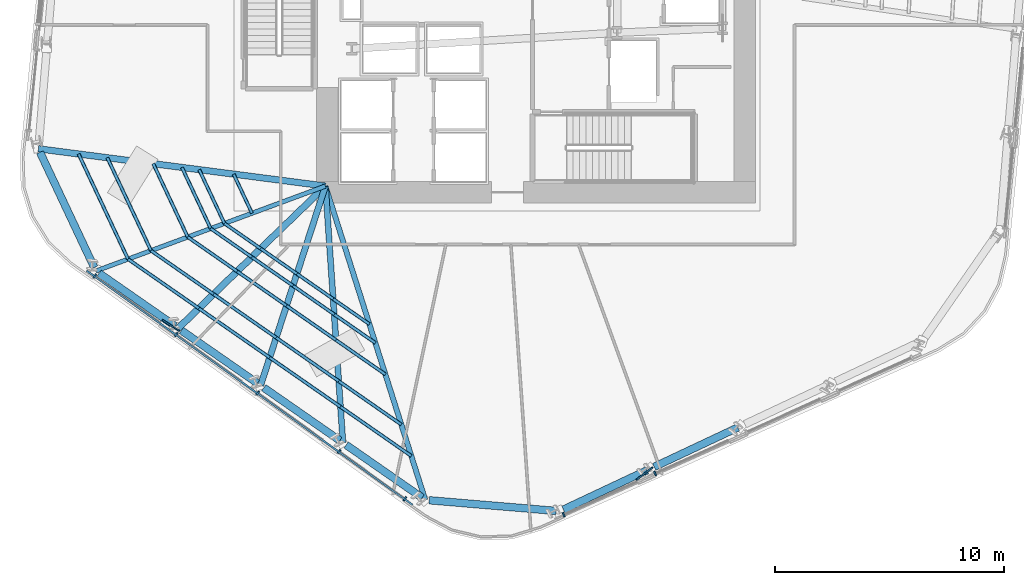
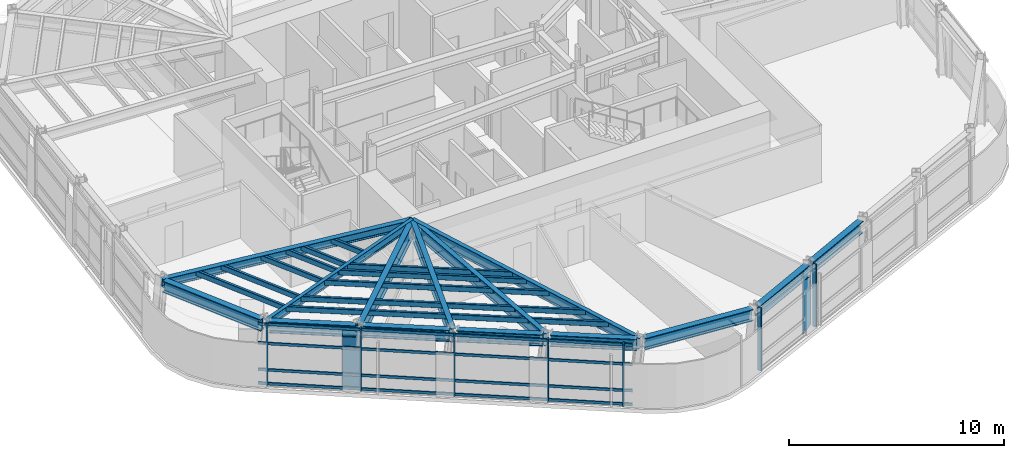
# One storey, part 2 of 16: 39 members, 14 beams, 2 elements without a shape of their own.
"""IFC4 building model written with IfcOpenShell, lengths in metres."""

from ifc_helpers import new_model, si_unit, direction, frame, origin, origin_2d, place, context, subcontext, project, spatial, rectangle, hollow_rectangle, i_section, extrude, material, layer, layer_set, material_profile, profile_set, type_object, element, aggregate, save


model = new_model("IFC4")

# Units and contexts
model_context = context("Model", 3, precision=1e-05, world=origin(), true_north=direction((0.0, 1.0)))
body_context = subcontext(model_context, "Body", "Model", "MODEL_VIEW")
ifc_project = project(units=[si_unit("LENGTHUNIT", "METRE"), si_unit("AREAUNIT", "SQUARE_METRE"), si_unit("VOLUMEUNIT", "CUBIC_METRE"), si_unit("PLANEANGLEUNIT", "RADIAN"), si_unit("MASSUNIT", "GRAM", prefix="KILO")], contexts=[model_context])

# Site, building, storey
site_placement = place(None, origin())
site = spatial("IfcSite", under=ifc_project, at=site_placement, CompositionType="ELEMENT")
building_placement = place(site_placement, origin())
building = spatial("IfcBuilding", under=site, at=building_placement, Name="Valkerne Bourse Tower", CompositionType="ELEMENT")
storey_placement = place(building_placement, frame((0.0, 0.0, 127.60009765625)))
storey = spatial("IfcBuildingStorey", under=building, at=storey_placement, Name="L32", CompositionType="ELEMENT", Elevation=127.60009765625)

# Beams
ifc_material_1 = material(Name="Steel ASTM A992", Category="steel")
ifc_material_profile_1 = material_profile(ifc_material_1, i_section(OverallWidth=0.1904296875, OverallDepth=0.457275390625, WebThickness=0.009033203125, FlangeThickness=0.014404296875, FilletRadius=0.01513671875, at=origin_2d()), Name="W18X50")
ifc_profile_set_1 = profile_set([ifc_material_profile_1], Name="Steel ASTM A992")
beam_type_1 = type_object("IfcBeamType", Name="BM-W18X50", PredefinedType="JOIST", material=ifc_profile_set_1)
beam_1_placement = place(storey_placement, frame((27.56689453125, 14.686767578125, 3.351318359375), z_axis=(0.937835994514, 0.34707873371, 0.0), x_axis=(-0.34707873371, 0.937835994514, 0.0)))
element("IfcBeam", 1, at=beam_1_placement, inside=storey, type_object=beam_type_1, Name="L32 Radial Composite Floor Beam 15", PredefinedType="JOIST", context=body_context, shape_type="SweptSolid", body=[
    extrude(i_section(OverallWidth=0.1904296875, OverallDepth=0.457275390625, WebThickness=0.009033203125, FlangeThickness=0.014404296875, FilletRadius=0.01513671875, at=origin_2d()), origin(), (0.0, 0.0, 1.0), 10.6982421875),
])
ifc_material_profile_2 = material_profile(ifc_material_1, i_section(OverallWidth=0.279296875, OverallDepth=0.46240234375, WebThickness=0.0107421875, FlangeThickness=0.017333984375, FilletRadius=0.017822265625, at=origin_2d()), Name="W18X76")
ifc_profile_set_2 = profile_set([ifc_material_profile_2], Name="Steel ASTM A992")
beam_type_2 = type_object("IfcBeamType", Name="BM-W18X76", PredefinedType="BEAM", material=ifc_profile_set_2)
beam_2_placement = place(storey_placement, frame((25.052734375, 20.029296875, 3.3486328125), z_axis=(0.99167341766, -0.128778230717, 0.0), x_axis=(0.128778230717, 0.99167341766, 0.0)))
element("IfcBeam", 2, at=beam_2_placement, inside=storey, type_object=beam_type_2, Name="L32 Radial Composite Floor Beam 14", PredefinedType="BEAM", context=body_context, shape_type="SweptSolid", body=[
    extrude(i_section(OverallWidth=0.279296875, OverallDepth=0.46240234375, WebThickness=0.0107421875, FlangeThickness=0.017333984375, FilletRadius=0.017822265625, at=origin_2d()), origin(), (0.0, 0.0, 1.0), 12.65283203125),
])
ifc_material_profile_3 = material_profile(ifc_material_1, i_section(OverallWidth=0.330078125, OverallDepth=0.647705078125, WebThickness=0.0205078125, FlangeThickness=0.037109375, FilletRadius=0.020263671875, at=origin_2d()), Name="W24X192")
ifc_profile_set_3 = profile_set([ifc_material_profile_3], Name="Steel ASTM A992")
beam_type_3 = type_object("IfcBeamType", Name="BM-W24X192", PredefinedType="SPANDREL", material=ifc_profile_set_3)
beam_3_placement = place(storey_placement, frame((25.125, 19.87548828125, 3.256103515625), z_axis=(0.425799149251, -0.904817707882, 0.0), x_axis=(0.904817707882, 0.425799149251, 0.0)))
element("IfcBeam", 3, at=beam_3_placement, inside=storey, type_object=beam_type_3, Name="L32 Hexagonal Spandrel Ring Beam 14", PredefinedType="SPANDREL", context=body_context, shape_type="SweptSolid", body=[
    extrude(i_section(OverallWidth=0.330078125, OverallDepth=0.647705078125, WebThickness=0.0205078125, FlangeThickness=0.037109375, FilletRadius=0.020263671875, at=origin_2d()), origin(), (0.0, 0.0, 1.0), 5.564453125),
])
for number, where, z_axis, x_axis, name in (
    (4, (27.706298828125, 14.589599609375, 3.256103515625), (0.821164807449, -0.570691123995, 0.0), (0.570691123995, 0.821164807449, 0.0), "L32 Hexagonal Spandrel Ring Beam 15"),
    (5, (31.305419921875, 12.08837890625, 3.256103515625), (0.821136509477, -0.570731839663, 0.0), (0.570731839663, 0.821136509477, 0.0), "L32 Hexagonal Spandrel Ring Beam 16"),
):
    element("IfcBeam", number, at=place(storey_placement, frame(where, z_axis=z_axis, x_axis=x_axis)), inside=storey, type_object=beam_type_3, Name=name, PredefinedType="SPANDREL", context=body_context, shape_type="SweptSolid", body=[
        extrude(i_section(OverallWidth=0.330078125, OverallDepth=0.647705078125, WebThickness=0.0205078125, FlangeThickness=0.037109375, FilletRadius=0.020263671875, at=origin_2d()), origin(), (0.0, 0.0, 1.0), 4.043212890625),
    ])
for number, where, z_axis, x_axis, name in (
    (6, (34.904541015625, 9.5869140625, 3.256103515625), (0.821116839452, -0.570760138734, 0.0), (0.570760138734, 0.821116839452, 0.0), "L32 Hexagonal Spandrel Ring Beam 17"),
    (7, (38.503662109375, 7.08544921875, 3.256103515625), (0.821145139554, -0.570719422998, 0.0), (0.570719422998, 0.821145139554, 0.0), "L32 Hexagonal Spandrel Ring Beam 18"),
):
    element("IfcBeam", number, at=place(storey_placement, frame(where, z_axis=z_axis, x_axis=x_axis)), inside=storey, type_object=beam_type_3, Name=name, PredefinedType="SPANDREL", context=body_context, shape_type="SweptSolid", body=[
        extrude(i_section(OverallWidth=0.330078125, OverallDepth=0.647705078125, WebThickness=0.0205078125, FlangeThickness=0.037109375, FilletRadius=0.020263671875, at=origin_2d()), origin(), (0.0, 0.0, 1.0), 4.04296875),
    ])
beam_4_placement = place(storey_placement, frame((42.132568359375, 4.666748046875, 3.256103515625), z_axis=(0.99649351748, -0.083670004308, 0.0), x_axis=(0.083670004308, 0.99649351748, 0.0)))
element("IfcBeam", 8, at=beam_4_placement, inside=storey, type_object=beam_type_3, Name="L32 Hexagonal Spandrel Ring Beam 19", PredefinedType="SPANDREL", context=body_context, shape_type="SweptSolid", body=[
    extrude(i_section(OverallWidth=0.330078125, OverallDepth=0.647705078125, WebThickness=0.0205078125, FlangeThickness=0.037109375, FilletRadius=0.020263671875, at=origin_2d()), origin(), (0.0, 0.0, 1.0), 5.564453125),
])
beam_5_placement = place(storey_placement, frame((48.000732421875, 4.25927734375, 3.256103515625), z_axis=(0.904836491249, 0.425759232552, 0.0), x_axis=(-0.425759232552, 0.904836491249, 0.0)))
element("IfcBeam", 9, at=beam_5_placement, inside=storey, type_object=beam_type_3, Name="L32 Hexagonal Spandrel Ring Beam 20", PredefinedType="SPANDREL", context=body_context, shape_type="SweptSolid", body=[
    extrude(i_section(OverallWidth=0.330078125, OverallDepth=0.647705078125, WebThickness=0.0205078125, FlangeThickness=0.037109375, FilletRadius=0.020263671875, at=origin_2d()), origin(), (0.0, 0.0, 1.0), 4.043212890625),
])
beam_6_placement = place(storey_placement, frame((51.966796875, 6.12548828125, 3.256103515625), z_axis=(0.904825544703, 0.425782495709, 0.0), x_axis=(-0.425782495709, 0.904825544703, 0.0)))
element("IfcBeam", 10, at=beam_6_placement, inside=storey, type_object=beam_type_3, Name="L32 Hexagonal Spandrel Ring Beam 21", PredefinedType="SPANDREL", context=body_context, shape_type="SweptSolid", body=[
    extrude(i_section(OverallWidth=0.330078125, OverallDepth=0.647705078125, WebThickness=0.0205078125, FlangeThickness=0.037109375, FilletRadius=0.020263671875, at=origin_2d()), origin(), (0.0, 0.0, 1.0), 4.04296875),
])
ifc_material_profile_4 = material_profile(ifc_material_1, i_section(OverallWidth=0.228271484375, OverallDepth=0.607177734375, WebThickness=0.01123046875, FlangeThickness=0.017333984375, FilletRadius=0.017822265625, at=origin_2d()), Name="W24X76")
ifc_profile_set_4 = profile_set([ifc_material_profile_4], Name="Steel ASTM A992")
beam_type_4 = type_object("IfcBeamType", Name="BM-W24X76", PredefinedType="JOIST", material=ifc_profile_set_4)
beam_7_placement = place(storey_placement, frame((41.963134765625, 4.680908203125, 3.2763671875), z_axis=(-0.303071356344, 0.952967865651, 0.0), x_axis=(-0.952967865651, -0.303071356344, 0.0)))
element("IfcBeam", 11, at=beam_7_placement, inside=storey, type_object=beam_type_4, Name="L32 Radial Composite Floor Beam 19", PredefinedType="JOIST", context=body_context, shape_type="SweptSolid", body=[
    extrude(i_section(OverallWidth=0.228271484375, OverallDepth=0.607177734375, WebThickness=0.01123046875, FlangeThickness=0.017333984375, FilletRadius=0.017822265625, at=origin_2d()), origin(), (0.0, 0.0, 1.0), 14.39599609375),
])
ifc_material_profile_5 = material_profile(ifc_material_1, i_section(OverallWidth=0.255859375, OverallDepth=0.693359375, WebThickness=0.014404296875, FlangeThickness=0.023681640625, FilletRadius=0.02294921875, at=origin_2d()), Name="W27X114")
ifc_profile_set_5 = profile_set([ifc_material_profile_5], Name="Steel ASTM A992")
beam_type_5 = type_object("IfcBeamType", Name="BM-W27X114", PredefinedType="BEAM", material=ifc_profile_set_5)
beam_8_placement = place(storey_placement, frame((38.364013671875, 7.182373046875, 3.233154296875), z_axis=(-0.067942837519, 0.997689215553, 0.0), x_axis=(-0.997689215553, -0.067942837519, 0.0)))
element("IfcBeam", 12, at=beam_8_placement, inside=storey, type_object=beam_type_5, Name="L32 Radial Composite Floor Beam 18", PredefinedType="BEAM", context=body_context, shape_type="SweptSolid", body=[
    extrude(i_section(OverallWidth=0.255859375, OverallDepth=0.693359375, WebThickness=0.014404296875, FlangeThickness=0.023681640625, FilletRadius=0.02294921875, at=origin_2d()), origin(), (0.0, 0.0, 1.0), 11.243408203125),
])
ifc_material_profile_6 = material_profile(ifc_material_1, i_section(OverallWidth=0.26806640625, OverallDepth=0.76953125, WebThickness=0.015625, FlangeThickness=0.025390625, FilletRadius=0.025390625, at=origin_2d()), Name="W30X132")
ifc_profile_set_6 = profile_set([ifc_material_profile_6], Name="Steel ASTM A992")
beam_type_6 = type_object("IfcBeamType", Name="BM-W30X132", PredefinedType="BEAM", material=ifc_profile_set_6)
beam_9_placement = place(storey_placement, frame((34.764892578125, 9.683837890625, 3.195068359375), z_axis=(0.309331197375, 0.950954368164, 0.0), x_axis=(-0.950954368164, 0.309331197375, 0.0)))
element("IfcBeam", 13, at=beam_9_placement, inside=storey, type_object=beam_type_6, Name="L32 Radial Composite Floor Beam 17", PredefinedType="BEAM", context=body_context, shape_type="SweptSolid", body=[
    extrude(i_section(OverallWidth=0.26806640625, OverallDepth=0.76953125, WebThickness=0.015625, FlangeThickness=0.025390625, FilletRadius=0.025390625, at=origin_2d()), origin(), (0.0, 0.0, 1.0), 9.16552734375),
])
ifc_material_profile_7 = material_profile(ifc_material_1, i_section(OverallWidth=0.2919921875, OverallDepth=0.8583984375, WebThickness=0.01708984375, FlangeThickness=0.031005859375, FilletRadius=0.025390625, at=origin_2d()), Name="W33X169")
ifc_profile_set_7 = profile_set([ifc_material_profile_7], Name="Steel ASTM A992")
beam_type_7 = type_object("IfcBeamType", Name="BM-W33X169", PredefinedType="BEAM", material=ifc_profile_set_7)
beam_10_placement = place(storey_placement, frame((31.166015625, 12.185302734375, 3.150634765625), z_axis=(0.719268360448, 0.694732341019, 0.0), x_axis=(-0.694732341019, 0.719268360448, 0.0)))
element("IfcBeam", 14, at=beam_10_placement, inside=storey, type_object=beam_type_7, Name="L32 Radial Composite Floor Beam 16", PredefinedType="BEAM", context=body_context, shape_type="SweptSolid", body=[
    extrude(i_section(OverallWidth=0.2919921875, OverallDepth=0.8583984375, WebThickness=0.01708984375, FlangeThickness=0.031005859375, FilletRadius=0.025390625, at=origin_2d()), origin(), (0.0, 0.0, 1.0), 8.9453125),
])

# Curtain wall, members
ifc_material_2 = material(Name="Aluminium AA 6063-T6", Category="aluminium")
ifc_layer = layer(ifc_material_2, 0.22998046875)
ifc_layer_set = layer_set([ifc_layer], Name="Aluminium AA 6063-T6")
curtain_wall_type = type_object("IfcCurtainWallType", Name="CW-02", PredefinedType="NOTDEFINED", material=ifc_layer_set)
curtain_wall_1_placement = place(storey_placement, origin())
curtain_wall_1 = element("IfcCurtainWall", 15, at=curtain_wall_1_placement, inside=storey, type_object=curtain_wall_type, Name="L32 Hexagonal Stick Curtain Wall Face 4", PredefinedType="NOTDEFINED")
ifc_material_profile_8 = material_profile(ifc_material_2, rectangle(XDim=0.074951171875, YDim=0.199951171875, at=origin_2d()), Name="CWM-75X200")
ifc_profile_set_8 = profile_set([ifc_material_profile_8], Name="Aluminium AA 6063-T6")
member_type_1 = type_object("IfcMemberType", Name="CW-MUL-220X75", PredefinedType="MULLION", material=ifc_profile_set_8)
member_1_placement = place(storey_placement, frame((27.518310546875, 14.468994140625, 0.0), z_axis=(0.0, 0.0, 1.0), x_axis=(0.812093080647, -0.583527915669, 0.0)))
member_1 = element("IfcMember", 16, at=member_1_placement, type_object=member_type_1, Name="CW-L32-F4 Jamb Mullion 00A", PredefinedType="MULLION", context=body_context, shape_type="SweptSolid", body=[
    extrude(rectangle(XDim=0.074951171875, YDim=0.199951171875, at=origin_2d()), origin(), (0.0, 0.0, 1.0), 3.579833984375),
])
member_2_placement = place(storey_placement, frame((31.077880859375, 11.91162109375, 0.0), z_axis=(0.0, 0.0, 1.0), x_axis=(0.812074499603, -0.583553773953, 0.0)))
member_2 = element("IfcMember", 17, at=member_2_placement, type_object=member_type_1, Name="CW-L32-F4 Jamb Mullion 01A", PredefinedType="MULLION", context=body_context, shape_type="SweptSolid", body=[
    extrude(rectangle(XDim=0.074951171875, YDim=0.199951171875, at=origin_2d()), origin(), (0.0, 0.0, 1.0), 3.579833984375),
])
member_3_placement = place(storey_placement, frame((34.63720703125, 9.353759765625, 0.0), z_axis=(0.0, 0.0, 1.0), x_axis=(0.812082268884, -0.583542962055, 0.0)))
member_3 = element("IfcMember", 18, at=member_3_placement, type_object=member_type_1, Name="CW-L32-F4 Jamb Mullion 02A", PredefinedType="MULLION", context=body_context, shape_type="SweptSolid", body=[
    extrude(rectangle(XDim=0.074951171875, YDim=0.199951171875, at=origin_2d()), origin(), (0.0, 0.0, 1.0), 3.579833984375),
])
member_4_placement = place(storey_placement, frame((38.196533203125, 6.796142578125, 0.0), z_axis=(0.0, 0.0, 1.0), x_axis=(0.812093080647, -0.583527915669, 0.0)))
member_4 = element("IfcMember", 19, at=member_4_placement, type_object=member_type_1, Name="CW-L32-F4 Jamb Mullion 03A", PredefinedType="MULLION", context=body_context, shape_type="SweptSolid", body=[
    extrude(rectangle(XDim=0.074951171875, YDim=0.199951171875, at=origin_2d()), origin(), (0.0, 0.0, 1.0), 3.579833984375),
])
member_5_placement = place(storey_placement, frame((41.07373046875, 4.728759765625, 0.0), z_axis=(0.0, 0.0, 1.0), x_axis=(0.812093080647, -0.583527915669, 0.0)))
member_5 = element("IfcMember", 20, at=member_5_placement, type_object=member_type_1, Name="CW-L32-F4 Jamb Mullion 03B", PredefinedType="MULLION", context=body_context, shape_type="SweptSolid", body=[
    extrude(rectangle(XDim=0.074951171875, YDim=0.199951171875, at=origin_2d()), origin(), (0.0, 0.0, 1.0), 3.579833984375),
])

curtain_wall_2_placement = place(storey_placement, origin())
curtain_wall_2 = element("IfcCurtainWall", 21, at=curtain_wall_2_placement, inside=storey, type_object=curtain_wall_type, Name="L32 Hexagonal Stick Curtain Wall Face 5", PredefinedType="NOTDEFINED")
member_6_placement = place(storey_placement, frame((48.01123046875, 4.0361328125, 0.0), z_axis=(0.0, 0.0, 1.0), x_axis=(0.911401240965, 0.411518867086, 0.0)))
member_6 = element("IfcMember", 22, at=member_6_placement, type_object=member_type_1, Name="CW-L32-F5 Jamb Mullion 00A", PredefinedType="MULLION", context=body_context, shape_type="SweptSolid", body=[
    extrude(rectangle(XDim=0.074951171875, YDim=0.199951171875, at=origin_2d()), origin(), (0.0, 0.0, 1.0), 3.579833984375),
])
member_7_placement = place(storey_placement, frame((52.005859375, 5.83984375, 0.0), z_axis=(0.0, 0.0, 1.0), x_axis=(0.911401240965, 0.411518867086, 0.0)))
member_7 = element("IfcMember", 23, at=member_7_placement, type_object=member_type_1, Name="CW-L32-F5 Jamb Mullion 01A", PredefinedType="MULLION", context=body_context, shape_type="SweptSolid", body=[
    extrude(rectangle(XDim=0.074951171875, YDim=0.199951171875, at=origin_2d()), origin(), (0.0, 0.0, 1.0), 3.579833984375),
])
aggregate(curtain_wall_2, [member_6, member_7])

# Member
ifc_material_profile_9 = material_profile(ifc_material_2, rectangle(XDim=0.074951171875, YDim=0.14990234375, at=origin_2d()), Name="CWT-75X150")
ifc_profile_set_9 = profile_set([ifc_material_profile_9], Name="Aluminium AA 6063-T6")
member_type_2 = type_object("IfcMemberType", Name="CW-TRN-180X65", PredefinedType="USERDEFINED", material=ifc_profile_set_9)
member_8_placement = place(storey_placement, frame((27.16552734375, 14.697998046875, 0.119873046875), z_axis=(0.812083629509, -0.583541068549, 0.0), x_axis=(0.583541068549, 0.812083629509, 0.0)))
member_8 = element("IfcMember", 24, at=member_8_placement, type_object=member_type_2, Name="CW-L32-F4 Continuous Face Transom 1", ObjectType="TRANSOM", PredefinedType="USERDEFINED", context=body_context, shape_type="SweptSolid", body=[
    extrude(rectangle(XDim=0.074951171875, YDim=0.14990234375, at=origin_2d()), origin(), (0.0, 0.0, 1.0), 17.5322265625),
])

member_9_placement = place(storey_placement, frame((27.16552734375, 14.697998046875, 0.89990234375), z_axis=(0.812083629509, -0.583541068549, 0.0), x_axis=(0.583541068549, 0.812083629509, 0.0)))
member_9 = element("IfcMember", 25, at=member_9_placement, type_object=member_type_2, Name="CW-L32-F4 Continuous Face Transom 2", ObjectType="TRANSOM", PredefinedType="USERDEFINED", context=body_context, shape_type="SweptSolid", body=[
    extrude(rectangle(XDim=0.074951171875, YDim=0.14990234375, at=origin_2d()), origin(), (0.0, 0.0, 1.0), 17.5322265625),
])

member_10_placement = place(storey_placement, frame((27.16552734375, 14.697998046875, 2.39990234375), z_axis=(0.812083629509, -0.583541068549, 0.0), x_axis=(0.583541068549, 0.812083629509, 0.0)))
member_10 = element("IfcMember", 26, at=member_10_placement, type_object=member_type_2, Name="CW-L32-F4 Continuous Face Transom 3", ObjectType="TRANSOM", PredefinedType="USERDEFINED", context=body_context, shape_type="SweptSolid", body=[
    extrude(rectangle(XDim=0.074951171875, YDim=0.14990234375, at=origin_2d()), origin(), (0.0, 0.0, 1.0), 17.5322265625),
])

member_11_placement = place(storey_placement, frame((27.16552734375, 14.697998046875, 3.5), z_axis=(0.812083629509, -0.583541068549, 0.0), x_axis=(0.583541068549, 0.812083629509, 0.0)))
member_11 = element("IfcMember", 27, at=member_11_placement, type_object=member_type_2, Name="CW-L32-F4 Continuous Face Transom 4", ObjectType="TRANSOM", PredefinedType="USERDEFINED", context=body_context, shape_type="SweptSolid", body=[
    extrude(rectangle(XDim=0.074951171875, YDim=0.14990234375, at=origin_2d()), origin(), (0.0, 0.0, 1.0), 17.5322265625),
])

aggregate(curtain_wall_1, [member_8, member_9, member_10, member_11, member_1, member_2, member_3, member_4, member_5])

# Members
ifc_material_3 = material(Name="Bronze Anodised Aluminium AA 6063-T6", Category="aluminium")
ifc_material_profile_10 = material_profile(ifc_material_3, rectangle(XDim=0.070068359375, YDim=0.89990234375, at=origin_2d()), Name="FIN-70X900")
ifc_profile_set_10 = profile_set([ifc_material_profile_10], Name="Bronze Anodised Aluminium AA 6063-T6")
member_type_3 = type_object("IfcMemberType", Name="FIN-SOLAR-900", PredefinedType="USERDEFINED", material=ifc_profile_set_10)
for number, where, z_axis, x_axis, name in (
    (28, (30.841796875, 12.302734375, 0.00390625), (0.0, 0.0, 1.0), (-0.540514537936, -0.841334674359, 0.0), "L32 Bronze Anodised Solar Fin F4-01"),
    (29, (51.549072265625, 5.8310546875, 0.00390625), (0.0, 0.0, 1.0), (0.610664486965, -0.79188943948, 0.0), "L32 Bronze Anodised Solar Fin F5-01"),
):
    element("IfcMember", number, at=place(storey_placement, frame(where, z_axis=z_axis, x_axis=x_axis)), inside=storey, type_object=member_type_3, Name=name, ObjectType="SOLAR_FIN", PredefinedType="USERDEFINED", context=body_context, shape_type="SweptSolid", body=[
        extrude(rectangle(XDim=0.070068359375, YDim=0.89990234375, at=origin_2d()), origin(), (0.0, 0.0, 1.0), 3.572021484375),
    ])
ifc_material_4 = material(Name="Steel ASTM A500 Grade C", Category="steel")
ifc_material_profile_11 = material_profile(ifc_material_4, hollow_rectangle(XDim=0.14990234375, YDim=0.300048828125, WallThickness=0.012451171875, OuterFilletRadius=0.02490234375, at=origin_2d()), Name="HSS300X150X12.5")
ifc_profile_set_11 = profile_set([ifc_material_profile_11], Name="Steel ASTM A500 Grade C")
member_type_4 = type_object("IfcMemberType", Name="MBR-HSS300X150X12.5", PredefinedType="PURLIN", material=ifc_profile_set_11)
member_12_placement = place(storey_placement, frame((33.5849609375, 18.92138671875, 3.419921875), z_axis=(0.425741033091, -0.904845054549, 0.0), x_axis=(0.904845054549, 0.425741033091, 0.0)))
element("IfcMember", 30, at=member_12_placement, inside=storey, type_object=member_type_4, Name="L32 Secondary Composite Floor Purlin I-14", PredefinedType="PURLIN", context=body_context, shape_type="SweptSolid", body=[
    extrude(hollow_rectangle(XDim=0.14990234375, YDim=0.300048828125, WallThickness=0.012451171875, OuterFilletRadius=0.02490234375, at=origin_2d()), origin(), (0.0, 0.0, 1.0), 1.889404296875),
])
member_13_placement = place(storey_placement, frame((32.0791015625, 19.116943359375, 3.419921875), z_axis=(0.425774409054, -0.904829349985, 0.0), x_axis=(0.904829349985, 0.425774409054, 0.0)))
element("IfcMember", 31, at=member_13_placement, inside=storey, type_object=member_type_4, Name="L32 Secondary Composite Floor Purlin K-14", PredefinedType="PURLIN", context=body_context, shape_type="SweptSolid", body=[
    extrude(hollow_rectangle(XDim=0.14990234375, YDim=0.300048828125, WallThickness=0.012451171875, OuterFilletRadius=0.02490234375, at=origin_2d()), origin(), (0.0, 0.0, 1.0), 2.59814453125),
])
member_14_placement = place(storey_placement, frame((33.185302734375, 16.76611328125, 3.419921875), z_axis=(0.821183761426, -0.57066385024, 0.0), x_axis=(0.57066385024, 0.821183761426, 0.0)))
element("IfcMember", 32, at=member_14_placement, inside=storey, type_object=member_type_4, Name="L32 Secondary Composite Floor Purlin K-15", PredefinedType="PURLIN", context=body_context, shape_type="SweptSolid", body=[
    extrude(hollow_rectangle(XDim=0.14990234375, YDim=0.300048828125, WallThickness=0.012451171875, OuterFilletRadius=0.02490234375, at=origin_2d()), origin(), (0.0, 0.0, 1.0), 1.9287109375),
])
member_15_placement = place(storey_placement, frame((34.76904296875, 15.66552734375, 3.419921875), z_axis=(0.821142530328, -0.570723177107, 0.0), x_axis=(0.570723177107, 0.821142530328, 0.0)))
element("IfcMember", 33, at=member_15_placement, inside=storey, type_object=member_type_4, Name="L32 Secondary Composite Floor Purlin K-16", PredefinedType="PURLIN", context=body_context, shape_type="SweptSolid", body=[
    extrude(hollow_rectangle(XDim=0.14990234375, YDim=0.300048828125, WallThickness=0.012451171875, OuterFilletRadius=0.02490234375, at=origin_2d()), origin(), (0.0, 0.0, 1.0), 1.928466796875),
])
member_16_placement = place(storey_placement, frame((36.3525390625, 14.56494140625, 3.419921875), z_axis=(0.821183761426, -0.57066385024, 0.0), x_axis=(0.57066385024, 0.821183761426, 0.0)))
element("IfcMember", 34, at=member_16_placement, inside=storey, type_object=member_type_4, Name="L32 Secondary Composite Floor Purlin K-17", PredefinedType="PURLIN", context=body_context, shape_type="SweptSolid", body=[
    extrude(hollow_rectangle(XDim=0.14990234375, YDim=0.300048828125, WallThickness=0.012451171875, OuterFilletRadius=0.02490234375, at=origin_2d()), origin(), (0.0, 0.0, 1.0), 1.9287109375),
])
member_17_placement = place(storey_placement, frame((37.936279296875, 13.46435546875, 3.419921875), z_axis=(0.821083198633, -0.57080853263, 0.0), x_axis=(0.57080853263, 0.821083198633, 0.0)))
element("IfcMember", 35, at=member_17_placement, inside=storey, type_object=member_type_4, Name="L32 Secondary Composite Floor Purlin K-18", PredefinedType="PURLIN", context=body_context, shape_type="SweptSolid", body=[
    extrude(hollow_rectangle(XDim=0.14990234375, YDim=0.300048828125, WallThickness=0.012451171875, OuterFilletRadius=0.02490234375, at=origin_2d()), origin(), (0.0, 0.0, 1.0), 1.928466796875),
])
member_18_placement = place(storey_placement, frame((31.326416015625, 19.214599609375, 3.419921875), z_axis=(0.425816949574, -0.904809330995, 0.0), x_axis=(0.904809330995, 0.425816949574, 0.0)))
element("IfcMember", 36, at=member_18_placement, inside=storey, type_object=member_type_4, Name="L32 Secondary Composite Floor Purlin M-14", PredefinedType="PURLIN", context=body_context, shape_type="SweptSolid", body=[
    extrude(hollow_rectangle(XDim=0.14990234375, YDim=0.300048828125, WallThickness=0.012451171875, OuterFilletRadius=0.02490234375, at=origin_2d()), origin(), (0.0, 0.0, 1.0), 2.9521484375),
])
member_19_placement = place(storey_placement, frame((32.58349609375, 16.54345703125, 3.419921875), z_axis=(0.82109587637, -0.570790295824, 0.0), x_axis=(0.570790295824, 0.82109587637, 0.0)))
element("IfcMember", 37, at=member_19_placement, inside=storey, type_object=member_type_4, Name="L32 Secondary Composite Floor Purlin M-15", PredefinedType="PURLIN", context=body_context, shape_type="SweptSolid", body=[
    extrude(hollow_rectangle(XDim=0.14990234375, YDim=0.300048828125, WallThickness=0.012451171875, OuterFilletRadius=0.02490234375, at=origin_2d()), origin(), (0.0, 0.0, 1.0), 2.191650390625),
])
for number, where, z_axis, x_axis, name in (
    (38, (34.383056640625, 15.29248046875, 3.419921875), (0.821200292112, -0.570640061891, 0.0), (0.570640061891, 0.821200292112, 0.0), "L32 Secondary Composite Floor Purlin M-16"),
    (39, (36.1826171875, 14.0419921875, 3.419921875), (0.82111179381, -0.570767397515, 0.0), (0.570767397515, 0.82111179381, 0.0), "L32 Secondary Composite Floor Purlin M-17"),
    (40, (37.98193359375, 12.791259765625, 3.419921875), (0.821148084358, -0.570715186022, 0.0), (0.570715186022, 0.821148084358, 0.0), "L32 Secondary Composite Floor Purlin M-18"),
):
    element("IfcMember", number, at=place(storey_placement, frame(where, z_axis=z_axis, x_axis=x_axis)), inside=storey, type_object=member_type_4, Name=name, PredefinedType="PURLIN", context=body_context, shape_type="SweptSolid", body=[
        extrude(hollow_rectangle(XDim=0.14990234375, YDim=0.300048828125, WallThickness=0.012451171875, OuterFilletRadius=0.02490234375, at=origin_2d()), origin(), (0.0, 0.0, 1.0), 2.19140625),
    ])
member_20_placement = place(storey_placement, frame((28.064208984375, 19.63818359375, 3.419921875), z_axis=(0.425781315553, -0.904826100047, 0.0), x_axis=(0.904826100047, 0.425781315553, 0.0)))
element("IfcMember", 41, at=member_20_placement, inside=storey, type_object=member_type_4, Name="L32 Secondary Composite Floor Purlin O-14", PredefinedType="PURLIN", context=body_context, shape_type="SweptSolid", body=[
    extrude(hollow_rectangle(XDim=0.14990234375, YDim=0.300048828125, WallThickness=0.012451171875, OuterFilletRadius=0.02490234375, at=origin_2d()), origin(), (0.0, 0.0, 1.0), 4.4873046875),
])
member_21_placement = place(storey_placement, frame((29.974853515625, 15.577880859375, 3.419921875), z_axis=(0.821148620229, -0.570714415006, 0.0), x_axis=(0.570714415006, 0.821148620229, 0.0)))
element("IfcMember", 42, at=member_21_placement, inside=storey, type_object=member_type_4, Name="L32 Secondary Composite Floor Purlin O-15", PredefinedType="PURLIN", context=body_context, shape_type="SweptSolid", body=[
    extrude(hollow_rectangle(XDim=0.14990234375, YDim=0.300048828125, WallThickness=0.012451171875, OuterFilletRadius=0.02490234375, at=origin_2d()), origin(), (0.0, 0.0, 1.0), 3.3310546875),
])
member_22_placement = place(storey_placement, frame((32.710205078125, 13.6767578125, 3.419921875), z_axis=(0.821124746209, -0.570748763611, 0.0), x_axis=(0.570748763611, 0.821124746209, 0.0)))
element("IfcMember", 43, at=member_22_placement, inside=storey, type_object=member_type_4, Name="L32 Secondary Composite Floor Purlin O-16", PredefinedType="PURLIN", context=body_context, shape_type="SweptSolid", body=[
    extrude(hollow_rectangle(XDim=0.14990234375, YDim=0.300048828125, WallThickness=0.012451171875, OuterFilletRadius=0.02490234375, at=origin_2d()), origin(), (0.0, 0.0, 1.0), 3.330810546875),
])
for number, where, z_axis, x_axis, name in (
    (44, (35.4453125, 11.775634765625, 3.419921875), (0.821148620229, -0.570714415006, 0.0), (0.570714415006, 0.821148620229, 0.0), "L32 Secondary Composite Floor Purlin O-17"),
    (45, (38.1806640625, 9.87451171875, 3.419921875), (0.821182967216, -0.570664993104, 0.0), (0.570664993104, 0.821182967216, 0.0), "L32 Secondary Composite Floor Purlin O-18"),
):
    element("IfcMember", number, at=place(storey_placement, frame(where, z_axis=z_axis, x_axis=x_axis)), inside=storey, type_object=member_type_4, Name=name, PredefinedType="PURLIN", context=body_context, shape_type="SweptSolid", body=[
        extrude(hollow_rectangle(XDim=0.14990234375, YDim=0.300048828125, WallThickness=0.012451171875, OuterFilletRadius=0.02490234375, at=origin_2d()), origin(), (0.0, 0.0, 1.0), 3.3310546875),
    ])
member_23_placement = place(storey_placement, frame((30.071533203125, 19.377685546875, 3.419921875), z_axis=(0.425806992423, -0.904814016914, 0.0), x_axis=(0.904814016914, 0.425806992423, 0.0)))
element("IfcMember", 46, at=member_23_placement, inside=storey, type_object=member_type_4, Name="L32 Secondary Composite Floor Purlin Z-14", PredefinedType="PURLIN", context=body_context, shape_type="SweptSolid", body=[
    extrude(hollow_rectangle(XDim=0.14990234375, YDim=0.300048828125, WallThickness=0.012451171875, OuterFilletRadius=0.02490234375, at=origin_2d()), origin(), (0.0, 0.0, 1.0), 3.542724609375),
])
member_24_placement = place(storey_placement, frame((31.580078125, 16.172119140625, 3.419921875), z_axis=(0.821124633586, -0.57074892564, 0.0), x_axis=(0.57074892564, 0.821124633586, 0.0)))
element("IfcMember", 47, at=member_24_placement, inside=storey, type_object=member_type_4, Name="L32 Secondary Composite Floor Purlin Z-15", PredefinedType="PURLIN", context=body_context, shape_type="SweptSolid", body=[
    extrude(hollow_rectangle(XDim=0.14990234375, YDim=0.300048828125, WallThickness=0.012451171875, OuterFilletRadius=0.02490234375, at=origin_2d()), origin(), (0.0, 0.0, 1.0), 2.6298828125),
])
member_25_placement = place(storey_placement, frame((33.739501953125, 14.671142578125, 3.419921875), z_axis=(0.821168141135, -0.57068632714, 0.0), x_axis=(0.57068632714, 0.821168141135, 0.0)))
element("IfcMember", 48, at=member_25_placement, inside=storey, type_object=member_type_4, Name="L32 Secondary Composite Floor Purlin Z-16", PredefinedType="PURLIN", context=body_context, shape_type="SweptSolid", body=[
    extrude(hollow_rectangle(XDim=0.14990234375, YDim=0.300048828125, WallThickness=0.012451171875, OuterFilletRadius=0.02490234375, at=origin_2d()), origin(), (0.0, 0.0, 1.0), 2.629638671875),
])
for number, where, z_axis, x_axis, name in (
    (49, (35.89892578125, 13.17041015625, 3.419921875), (0.821124633586, -0.57074892564, 0.0), (0.57074892564, 0.821124633586, 0.0), "L32 Secondary Composite Floor Purlin Z-17"),
    (50, (38.058349609375, 11.66943359375, 3.419921875), (0.821198374015, -0.570642822188, 0.0), (0.570642822188, 0.821198374015, 0.0), "L32 Secondary Composite Floor Purlin Z-18"),
):
    element("IfcMember", number, at=place(storey_placement, frame(where, z_axis=z_axis, x_axis=x_axis)), inside=storey, type_object=member_type_4, Name=name, PredefinedType="PURLIN", context=body_context, shape_type="SweptSolid", body=[
        extrude(hollow_rectangle(XDim=0.14990234375, YDim=0.300048828125, WallThickness=0.012451171875, OuterFilletRadius=0.02490234375, at=origin_2d()), origin(), (0.0, 0.0, 1.0), 2.6298828125),
    ])
member_26_placement = place(storey_placement, frame((26.809326171875, 19.80126953125, 3.419921875), z_axis=(0.425778513283, -0.904827418697, 0.0), x_axis=(0.904827418697, 0.425778513283, 0.0)))
element("IfcMember", 51, at=member_26_placement, inside=storey, type_object=member_type_4, Name="L32 Secondary Composite Floor Purlin T-14", PredefinedType="PURLIN", context=body_context, shape_type="SweptSolid", body=[
    extrude(hollow_rectangle(XDim=0.14990234375, YDim=0.300048828125, WallThickness=0.012451171875, OuterFilletRadius=0.02490234375, at=origin_2d()), origin(), (0.0, 0.0, 1.0), 5.078125),
])
member_27_placement = place(storey_placement, frame((28.971435546875, 15.20654296875, 3.419921875), z_axis=(0.821162550846, -0.570694370997, 0.0), x_axis=(0.570694370997, 0.821162550846, 0.0)))
element("IfcMember", 52, at=member_27_placement, inside=storey, type_object=member_type_4, Name="L32 Secondary Composite Floor Purlin T-15", PredefinedType="PURLIN", context=body_context, shape_type="SweptSolid", body=[
    extrude(hollow_rectangle(XDim=0.14990234375, YDim=0.300048828125, WallThickness=0.012451171875, OuterFilletRadius=0.02490234375, at=origin_2d()), origin(), (0.0, 0.0, 1.0), 3.769287109375),
])
member_28_placement = place(storey_placement, frame((32.066650390625, 13.055419921875, 3.419921875), z_axis=(0.821132197143, -0.570738043952, 0.0), x_axis=(0.570738043952, 0.821132197143, 0.0)))
element("IfcMember", 53, at=member_28_placement, inside=storey, type_object=member_type_4, Name="L32 Secondary Composite Floor Purlin T-16", PredefinedType="PURLIN", context=body_context, shape_type="SweptSolid", body=[
    extrude(hollow_rectangle(XDim=0.14990234375, YDim=0.300048828125, WallThickness=0.012451171875, OuterFilletRadius=0.02490234375, at=origin_2d()), origin(), (0.0, 0.0, 1.0), 3.76953125),
])
for number, where, z_axis, x_axis, name in (
    (54, (35.161865234375, 10.904052734375, 3.419921875), (0.821162550846, -0.570694370997, 0.0), (0.570694370997, 0.821162550846, 0.0), "L32 Secondary Composite Floor Purlin T-17"),
    (55, (38.257080078125, 8.7529296875, 3.419921875), (0.821162550846, -0.570694370997, 0.0), (0.570694370997, 0.821162550846, 0.0), "L32 Secondary Composite Floor Purlin T-18"),
):
    element("IfcMember", number, at=place(storey_placement, frame(where, z_axis=z_axis, x_axis=x_axis)), inside=storey, type_object=member_type_4, Name=name, PredefinedType="PURLIN", context=body_context, shape_type="SweptSolid", body=[
        extrude(hollow_rectangle(XDim=0.14990234375, YDim=0.300048828125, WallThickness=0.012451171875, OuterFilletRadius=0.02490234375, at=origin_2d()), origin(), (0.0, 0.0, 1.0), 3.769287109375),
    ])

save(model, "model.ifc")
